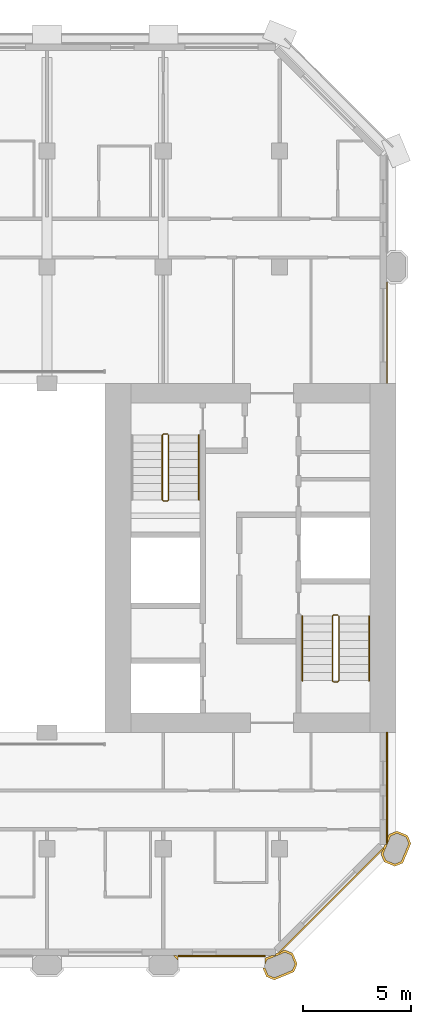
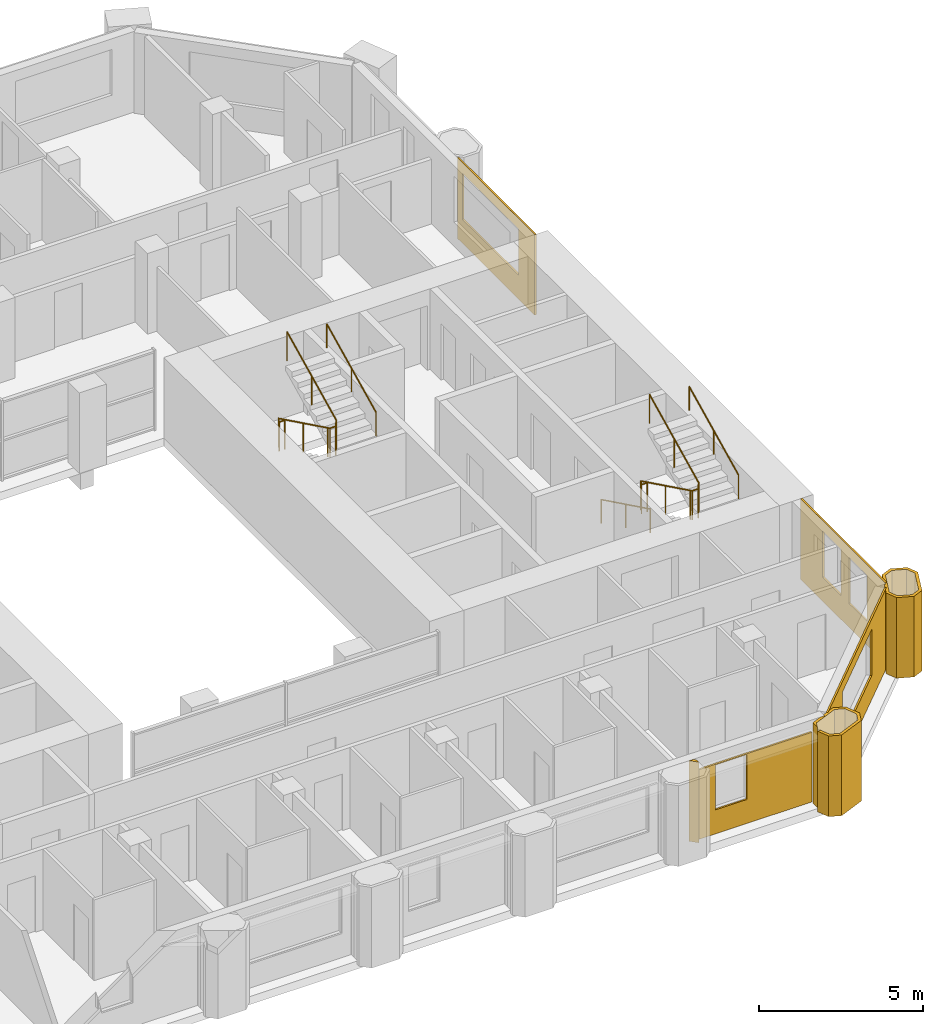
# One storey, part 13 of 14: 7 coverings, 5 railings.
"""IFC4 building model written with IfcOpenShell, lengths in metres."""

from ifc_helpers import new_model, si_unit, direction, frame, origin, origin_2d, place, context, subcontext, project, spatial, polyline, circle, outline, extrude, material, layer, layer_set, type_object, element, save


model = new_model("IFC4")

# Units and contexts
model_context = context("Model", 3, precision=1e-05, world=origin(), true_north=direction((0.0, 1.0)))
body_context = subcontext(model_context, "Body", "Model", "MODEL_VIEW")
ifc_project = project(units=[si_unit("LENGTHUNIT", "METRE"), si_unit("AREAUNIT", "SQUARE_METRE"), si_unit("VOLUMEUNIT", "CUBIC_METRE"), si_unit("PLANEANGLEUNIT", "RADIAN"), si_unit("MASSUNIT", "GRAM", prefix="KILO")], contexts=[model_context])

# Site, building, storey
site_placement = place(None, origin())
site = spatial("IfcSite", under=ifc_project, at=site_placement, CompositionType="ELEMENT")
building_placement = place(site_placement, origin())
building = spatial("IfcBuilding", under=site, at=building_placement, Name="Tabaq Tower and Sports Hall", CompositionType="ELEMENT")
storey_placement = place(building_placement, frame((0.0, 0.0, 213.699951171875)))
storey = spatial("IfcBuildingStorey", under=building, at=storey_placement, Name="L53", CompositionType="ELEMENT", Elevation=213.699951171875)

# Coverings
ifc_material_1 = material(Name="Precast concrete C60/75", Category="concrete")
ifc_layer_1 = layer(ifc_material_1, 0.10009765625)
ifc_layer_set_1 = layer_set([ifc_layer_1], Name="Column cladding 100")
covering_type_1 = type_object("IfcCoveringType", Name="Column cladding 100", PredefinedType="CLADDING", material=ifc_layer_set_1)
covering_1_placement = place(storey_placement, origin())
element("IfcCovering", 1, at=covering_1_placement, inside=storey, type_object=covering_type_1, Name="Column cladding L53 PC-7B-H3 3", PredefinedType="CLADDING", context=body_context, shape_type="SweptSolid", body=[
    extrude(outline(polyline([(33.074462890625, 5.62646484375), (32.8515625, 5.849365234375), (32.9912109375, 5.849365234375), (33.074462890625, 5.76611328125), (33.074462890625, 5.62646484375)])), origin(), (0.0, 0.0, 1.0), 3.0),
])
covering_2_placement = place(storey_placement, origin())
element("IfcCovering", 2, at=covering_2_placement, inside=storey, type_object=covering_type_1, Name="Column cladding L53 PC-8B-H3", PredefinedType="CLADDING", context=body_context, shape_type="SweptSolid", body=[
    extrude(outline(polyline([(37.023681640625, 5.249755859375), (37.125244140625, 5.249755859375), (37.125244140625, 5.26416015625), (37.26220703125, 4.93359375), (37.556396484375, 4.811767578125), (38.38818359375, 5.15625), (38.510009765625, 5.450439453125), (38.337646484375, 5.866455078125), (38.04345703125, 5.98828125), (37.2119140625, 5.643798828125), (37.125244140625, 5.434814453125), (37.125244140625, 5.694580078125), (37.1357421875, 5.7197265625), (37.44921875, 5.849609375), (37.614013671875, 5.849609375), (37.614013671875, 5.91796875), (37.767578125, 5.9814453125), (37.799072265625, 5.9501953125), (37.875, 6.026123046875), (38.04345703125, 6.095947265625), (38.413818359375, 5.9423828125), (38.61767578125, 5.450439453125), (38.46435546875, 5.080078125), (37.556396484375, 4.7041015625), (37.186279296875, 4.857421875), (37.023681640625, 5.249755859375)])), origin(), (0.0, 0.0, 1.0), 3.0),
])
covering_3_placement = place(storey_placement, origin())
element("IfcCovering", 3, at=covering_3_placement, inside=storey, type_object=covering_type_1, Name="Column cladding L53 PC-9C-H3", PredefinedType="CLADDING", context=body_context, shape_type="SweptSolid", body=[
    extrude(outline(polyline([(42.657470703125, 10.186279296875), (42.504150390625, 10.556396484375), (42.573974609375, 10.72509765625), (42.64990234375, 10.801025390625), (42.618408203125, 10.83251953125), (42.68212890625, 10.986083984375), (42.750244140625, 10.986083984375), (42.750244140625, 11.04296875), (42.810302734375, 11.04296875), (42.810302734375, 11.295654296875), (42.880126953125, 11.46435546875), (43.25048828125, 11.61767578125), (43.742431640625, 11.413818359375), (43.895751953125, 11.04345703125), (43.519775390625, 10.1357421875), (43.149658203125, 9.982421875), (42.657470703125, 10.186279296875)]), holes=[polyline([(43.66650390625, 11.337646484375), (43.25048828125, 11.510009765625), (42.956298828125, 11.38818359375), (42.61181640625, 10.556396484375), (42.733642578125, 10.26220703125), (43.149658203125, 10.08984375), (43.44384765625, 10.2119140625), (43.788330078125, 11.04345703125), (43.66650390625, 11.337646484375)])]), origin(), (0.0, 0.0, 1.0), 3.0),
])

# Railings
ifc_material_2 = material(Name="Stainless steel", Category="steel")
railing_type_1 = type_object("IfcRailingType", Name="Stair guard", PredefinedType="GUARDRAIL", material=ifc_material_2)
railing_1_placement = place(storey_placement, frame((40.5, 21.64990234375, 0.0)))
element("IfcRailing", 4, at=railing_1_placement, inside=storey, type_object=railing_type_1, Name="L53 ST3 stair guard 1", PredefinedType="GUARDRAIL", context=body_context, shape_type="SweptSolid", body=[
    extrude(circle(Radius=0.02392578125, at=origin_2d()), frame((0.0, 0.0, 1.076171875), z_axis=(-1.0, 0.0, 0.0), x_axis=(0.0, -1.0, 0.0)), (0.0, 0.0, 1.0), 0.199951171875),
    extrude(circle(Radius=0.02392578125, at=origin_2d()), frame((-0.199951171875, 0.0, 1.076171875), z_axis=(-0.254733673405, -0.25349107012, 0.933195066962), x_axis=(0.705375805398, -0.708833529934, 0.0)), (0.0, 0.0, 1.0), 0.196533203125),
    extrude(circle(Radius=0.02392578125, at=origin_2d()), frame((-0.25, -0.0498046875, 1.25927734375), z_axis=(0.0, -0.898368975038, 0.439241601728), x_axis=(1.0, 0.0, 0.0)), (0.0, 0.0, 1.0), 3.33935546875),
    extrude(circle(Radius=0.02392578125, at=origin_2d()), frame((-0.25, -3.0498046875, 2.72607421875), z_axis=(0.707106781187, -0.707106781187, 0.0), x_axis=(0.707106781187, 0.707106781187, 0.0)), (0.0, 0.0, 1.0), 0.07080078125),
    extrude(circle(Radius=0.02392578125, at=origin_2d()), frame((-0.199951171875, -3.099853515625, 2.72607421875), z_axis=(1.0, 0.0, 0.0), x_axis=(0.0, 1.0, 0.0)), (0.0, 0.0, 1.0), 0.199951171875),
    extrude(circle(Radius=0.02392578125, at=origin_2d()), frame((0.0, -3.099853515625, 2.72607421875), z_axis=(0.254653276557, 0.254653276557, 0.932900539971), x_axis=(-0.707106781187, 0.707106781187, 0.0)), (0.0, 0.0, 1.0), 0.196533203125),
    extrude(circle(Radius=0.02392578125, at=origin_2d()), frame((0.050048828125, -3.0498046875, 2.90966796875), z_axis=(0.0, 0.898397823093, 0.439182594671), x_axis=(-1.0, 0.0, 0.0)), (0.0, 0.0, 1.0), 3.33935546875),
    extrude(circle(Radius=0.02099609375, at=origin_2d()), origin(), (0.0, 0.0, 1.0), 1.052001953125),
    extrude(circle(Radius=0.02099609375, at=origin_2d()), frame((-0.199951171875, 0.0, 0.0)), (0.0, 0.0, 1.0), 1.052001953125),
    extrude(circle(Radius=0.02099609375, at=origin_2d()), frame((-0.25, -0.0498046875, 0.183349609375)), (0.0, 0.0, 1.0), 1.052001953125),
    extrude(circle(Radius=0.02099609375, at=origin_2d()), frame((-0.25, -1.5498046875, 0.916748046875)), (0.0, 0.0, 1.0), 1.052001953125),
    extrude(circle(Radius=0.02099609375, at=origin_2d()), frame((-0.25, -3.0498046875, 1.650146484375)), (0.0, 0.0, 1.0), 1.052001953125),
    extrude(circle(Radius=0.02099609375, at=origin_2d()), frame((-0.199951171875, -3.099853515625, 1.650146484375)), (0.0, 0.0, 1.0), 1.052001953125),
    extrude(circle(Radius=0.02099609375, at=origin_2d()), frame((0.0, -3.099853515625, 1.650146484375)), (0.0, 0.0, 1.0), 1.052001953125),
    extrude(circle(Radius=0.02099609375, at=origin_2d()), frame((0.050048828125, -3.0498046875, 1.83349609375)), (0.0, 0.0, 1.0), 1.052001953125),
    extrude(circle(Radius=0.02099609375, at=origin_2d()), frame((0.050048828125, -1.5498046875, 2.56689453125)), (0.0, 0.0, 1.0), 1.052001953125),
    extrude(circle(Radius=0.02099609375, at=origin_2d()), frame((0.050048828125, -0.0498046875, 3.300048828125)), (0.0, 0.0, 1.0), 1.052001953125),
])
railing_2_placement = place(storey_placement, frame((32.60009765625, 30.050048828125, 0.0)))
element("IfcRailing", 5, at=railing_2_placement, inside=storey, type_object=railing_type_1, Name="L53 ST4 stair guard 1", PredefinedType="GUARDRAIL", context=body_context, shape_type="SweptSolid", body=[
    extrude(circle(Radius=0.02392578125, at=origin_2d()), frame((0.0, 0.0, 1.076171875), z_axis=(-1.0, 0.0, 0.0), x_axis=(0.0, -1.0, 0.0)), (0.0, 0.0, 1.0), 0.2001953125),
    extrude(circle(Radius=0.02392578125, at=origin_2d()), frame((-0.2001953125, 0.0, 1.076171875), z_axis=(-0.25349107012, -0.254733673405, 0.933195066962), x_axis=(0.708833529934, -0.705375805398, 0.0)), (0.0, 0.0, 1.0), 0.196533203125),
    extrude(circle(Radius=0.02392578125, at=origin_2d()), frame((-0.25, -0.050048828125, 1.25927734375), z_axis=(0.0, -0.898368975038, 0.439241601728), x_axis=(1.0, 0.0, 0.0)), (0.0, 0.0, 1.0), 3.33935546875),
    extrude(circle(Radius=0.02392578125, at=origin_2d()), frame((-0.25, -3.050048828125, 2.72607421875), z_axis=(0.705375805398, -0.708833529934, 0.0), x_axis=(0.708833529934, 0.705375805398, 0.0)), (0.0, 0.0, 1.0), 0.070556640625),
    extrude(circle(Radius=0.02392578125, at=origin_2d()), frame((-0.2001953125, -3.10009765625, 2.72607421875), z_axis=(1.0, 0.0, 0.0), x_axis=(0.0, 1.0, 0.0)), (0.0, 0.0, 1.0), 0.2001953125),
    extrude(circle(Radius=0.02392578125, at=origin_2d()), frame((0.0, -3.10009765625, 2.72607421875), z_axis=(0.25349107012, 0.254733673405, 0.933195066962), x_axis=(-0.708833529934, 0.705375805398, 0.0)), (0.0, 0.0, 1.0), 0.196533203125),
    extrude(circle(Radius=0.02392578125, at=origin_2d()), frame((0.0498046875, -3.050048828125, 2.90966796875), z_axis=(0.0, 0.898397823093, 0.439182594671), x_axis=(-1.0, 0.0, 0.0)), (0.0, 0.0, 1.0), 3.33935546875),
    extrude(circle(Radius=0.02099609375, at=origin_2d()), origin(), (0.0, 0.0, 1.0), 1.052001953125),
    extrude(circle(Radius=0.02099609375, at=origin_2d()), frame((-0.2001953125, 0.0, 0.0)), (0.0, 0.0, 1.0), 1.052001953125),
    extrude(circle(Radius=0.02099609375, at=origin_2d()), frame((-0.25, -0.050048828125, 0.183349609375)), (0.0, 0.0, 1.0), 1.052001953125),
    extrude(circle(Radius=0.02099609375, at=origin_2d()), frame((-0.25, -1.550048828125, 0.916748046875)), (0.0, 0.0, 1.0), 1.052001953125),
    extrude(circle(Radius=0.02099609375, at=origin_2d()), frame((-0.25, -3.050048828125, 1.650146484375)), (0.0, 0.0, 1.0), 1.052001953125),
    extrude(circle(Radius=0.02099609375, at=origin_2d()), frame((-0.2001953125, -3.10009765625, 1.650146484375)), (0.0, 0.0, 1.0), 1.052001953125),
    extrude(circle(Radius=0.02099609375, at=origin_2d()), frame((0.0, -3.10009765625, 1.650146484375)), (0.0, 0.0, 1.0), 1.052001953125),
    extrude(circle(Radius=0.02099609375, at=origin_2d()), frame((0.0498046875, -3.050048828125, 1.83349609375)), (0.0, 0.0, 1.0), 1.052001953125),
    extrude(circle(Radius=0.02099609375, at=origin_2d()), frame((0.0498046875, -1.550048828125, 2.56689453125)), (0.0, 0.0, 1.0), 1.052001953125),
    extrude(circle(Radius=0.02099609375, at=origin_2d()), frame((0.0498046875, -0.050048828125, 3.300048828125)), (0.0, 0.0, 1.0), 1.052001953125),
])
ifc_material_3 = material(Name="Stainless steel", Category="steel")
railing_type_2 = type_object("IfcRailingType", Name="Stair handrail", PredefinedType="HANDRAIL", material=ifc_material_3)
railing_3_placement = place(storey_placement, frame((38.85009765625, 21.60009765625, 0.183349609375)))
element("IfcRailing", 6, at=railing_3_placement, inside=storey, type_object=railing_type_2, Name="L53 ST3 stair handrail 1", PredefinedType="HANDRAIL", context=body_context, shape_type="SweptSolid", body=[
    extrude(circle(Radius=0.02392578125, at=origin_2d()), frame((0.0, 0.0, 0.8759765625), z_axis=(0.0, -0.898368975038, 0.439241601728), x_axis=(1.0, 0.0, 0.0)), (0.0, 0.0, 1.0), 3.33935546875),
    extrude(circle(Radius=0.02099609375, at=origin_2d()), origin(), (0.0, 0.0, 1.0), 0.851806640625),
    extrude(circle(Radius=0.02099609375, at=origin_2d()), frame((0.0, -1.5, 0.7333984375)), (0.0, 0.0, 1.0), 0.851806640625),
    extrude(circle(Radius=0.02099609375, at=origin_2d()), frame((0.0, -3.0, 1.466796875)), (0.0, 0.0, 1.0), 0.851806640625),
])
for number, where, name in (
    (7, (41.949951171875, 18.60009765625, 1.83349609375), "L53 ST3 stair handrail 2"),
    (8, (34.050048828125, 27.0, 1.83349609375), "L53 ST4 stair handrail 2"),
):
    element("IfcRailing", number, at=place(storey_placement, frame(where)), inside=storey, type_object=railing_type_2, Name=name, PredefinedType="HANDRAIL", context=body_context, shape_type="SweptSolid", body=[
        extrude(circle(Radius=0.02392578125, at=origin_2d()), frame((0.0, 0.0, 0.8759765625), z_axis=(0.0, 0.898397823093, 0.439182594671), x_axis=(-1.0, 0.0, 0.0)), (0.0, 0.0, 1.0), 3.33935546875),
        extrude(circle(Radius=0.02099609375, at=origin_2d()), origin(), (0.0, 0.0, 1.0), 0.851806640625),
        extrude(circle(Radius=0.02099609375, at=origin_2d()), frame((0.0, 1.5, 0.7333984375)), (0.0, 0.0, 1.0), 0.851806640625),
        extrude(circle(Radius=0.02099609375, at=origin_2d()), frame((0.0, 3.0, 1.466552734375)), (0.0, 0.0, 1.0), 0.851806640625),
    ])

# Coverings
ifc_material_4 = material(Name="Precast concrete C60/75", Category="concrete")
ifc_layer_2 = layer(ifc_material_4, 0.06005859375)
ifc_layer_set_2 = layer_set([ifc_layer_2], Name="White precast cladding panel 60 C60/75")
covering_type_2 = type_object("IfcCoveringType", Name="White precast cladding panel 60 C60/75", PredefinedType="CLADDING", material=ifc_layer_set_2)
covering_4_placement = place(storey_placement, frame((33.0849609375, 5.820068359375, 0.0), z_axis=(0.0, 0.0, 1.0), x_axis=(1.0, 0.0, 0.0)))
element("IfcCovering", 9, at=covering_4_placement, inside=storey, type_object=covering_type_2, Name="White precast cladding panel L53 wall00 6", PredefinedType="CLADDING", context=body_context, shape_type="SweptSolid", body=[
    extrude(outline(polyline([(0.0, 0.0), (4.050048828125, 0.0), (4.050048828125, 2.590087890625), (0.0, 2.590087890625), (0.0, 0.0)]), holes=[polyline([(1.77490234375, 0.89013671875), (0.655029296875, 0.89013671875), (0.655029296875, 2.56005859375), (1.77490234375, 2.56005859375), (1.77490234375, 0.89013671875)])]), frame((0.0, 0.030029296875, 0.0), z_axis=(0.0, -1.0, 0.0), x_axis=(1.0, 0.0, 0.0)), (0.0, 0.0, 1.0), 0.06005859375),
])
covering_5_placement = place(storey_placement, frame((37.77783203125, 5.9716796875, 0.0), z_axis=(0.0, 0.0, 1.0), x_axis=(0.707088985397, 0.707124576528, 0.0)))
element("IfcCovering", 10, at=covering_5_placement, inside=storey, type_object=covering_type_2, Name="White precast cladding panel L53 wall01", PredefinedType="CLADDING", context=body_context, shape_type="SweptSolid", body=[
    extrude(outline(polyline([(0.0, 0.0), (6.859619140625, 0.0), (6.859619140625, 3.0), (0.0, 3.0), (0.0, 0.0)]), holes=[polyline([(1.7197265625, 0.89013671875), (1.7197265625, 2.610107421875), (5.139892578125, 2.610107421875), (5.139892578125, 0.89013671875), (1.7197265625, 0.89013671875)])]), frame((0.0, 0.030029296875, 0.0), z_axis=(0.0, -1.0, 0.0), x_axis=(1.0, 0.0, 0.0)), (0.0, 0.0, 1.0), 0.06005859375),
])
covering_6_placement = place(storey_placement, frame((42.780029296875, 11.043212890625, 0.0), z_axis=(0.0, 0.0, 1.0), x_axis=(0.0, 1.0, 0.0)))
element("IfcCovering", 11, at=covering_6_placement, inside=storey, type_object=covering_type_2, Name="White precast cladding panel L53 wall02", PredefinedType="CLADDING", context=body_context, shape_type="SweptSolid", body=[
    extrude(outline(polyline([(0.0, 0.0), (5.15673828125, 0.0), (5.15673828125, 3.0), (0.0, 3.0), (0.0, 0.0)]), holes=[polyline([(1.096923828125, 2.610107421875), (2.216796875, 2.610107421875), (2.216796875, 0.89013671875), (1.096923828125, 0.89013671875), (1.096923828125, 2.610107421875)]), polyline([(2.69677734375, 2.610107421875), (3.81689453125, 2.610107421875), (3.81689453125, 0.89013671875), (2.69677734375, 0.89013671875), (2.69677734375, 2.610107421875)])]), frame((0.0, 0.030029296875, 0.0), z_axis=(0.0, -1.0, 0.0), x_axis=(1.0, 0.0, 0.0)), (0.0, 0.0, 1.0), 0.06005859375),
])
covering_7_placement = place(storey_placement, frame((42.780029296875, 32.39990234375, 0.0), z_axis=(0.0, 0.0, 1.0), x_axis=(0.0, 1.0, 0.0)))
element("IfcCovering", 12, at=covering_7_placement, inside=storey, type_object=covering_type_2, Name="White precast cladding panel L53 wall02-1", PredefinedType="CLADDING", context=body_context, shape_type="SweptSolid", body=[
    extrude(outline(polyline([(0.0, 0.0), (4.715087890625, 0.0), (4.715087890625, 3.0), (0.0, 3.0), (0.0, 0.0)]), holes=[polyline([(0.989990234375, 0.89013671875), (0.989990234375, 2.610107421875), (4.409912109375, 2.610107421875), (4.409912109375, 0.89013671875), (0.989990234375, 0.89013671875)])]), frame((0.0, 0.030029296875, 0.0), z_axis=(0.0, -1.0, 0.0), x_axis=(1.0, 0.0, 0.0)), (0.0, 0.0, 1.0), 0.06005859375),
])

save(model, "model.ifc")
